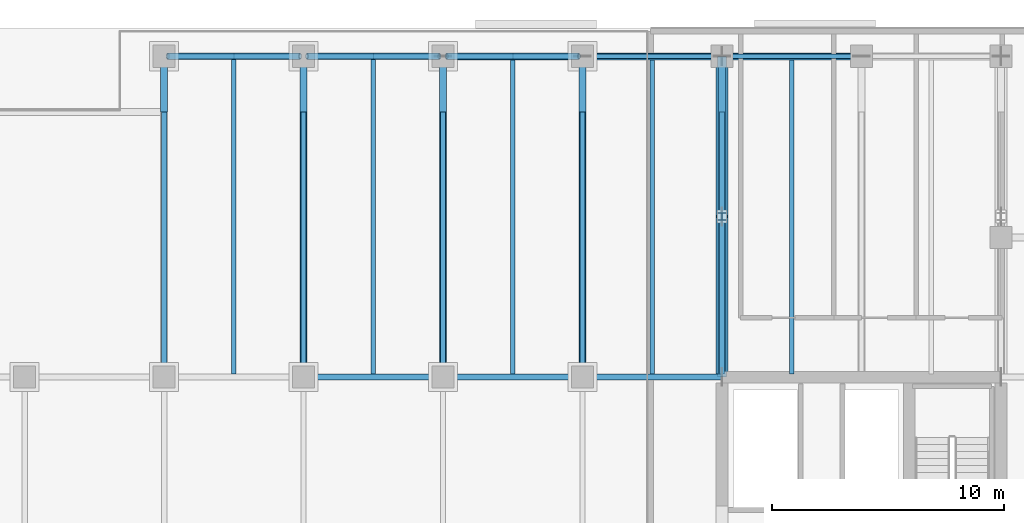
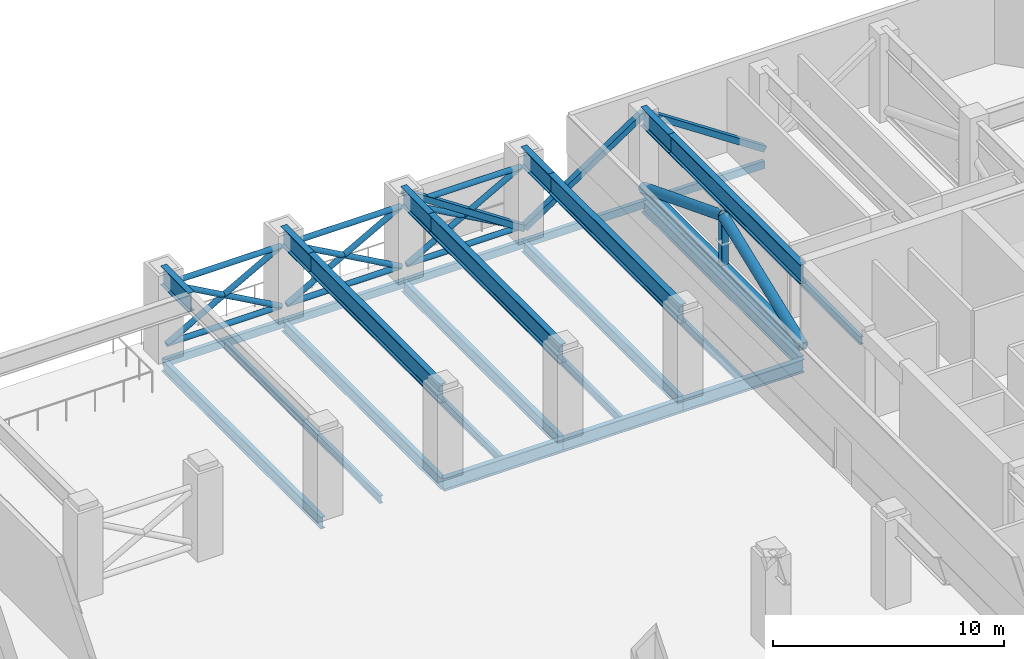
# One storey, part 6 of 21: 27 beams, 19 members.
"""IFC4 building model written with IfcOpenShell, lengths in metres."""

from ifc_helpers import new_model, si_unit, direction, frame, origin, origin_2d, place, context, subcontext, project, spatial, hollow_rectangle, hollow_circle, i_section, extrude, material, material_profile, profile_set, type_object, element, save


model = new_model("IFC4")

# Units and contexts
model_context = context("Model", 3, precision=1e-05, world=origin(), true_north=direction((0.0, 1.0)))
body_context = subcontext(model_context, "Body", "Model", "MODEL_VIEW")
ifc_project = project(units=[si_unit("LENGTHUNIT", "METRE"), si_unit("AREAUNIT", "SQUARE_METRE"), si_unit("VOLUMEUNIT", "CUBIC_METRE"), si_unit("PLANEANGLEUNIT", "RADIAN"), si_unit("MASSUNIT", "GRAM", prefix="KILO")], contexts=[model_context])

# Site, building, storey
site_placement = place(None, origin())
site = spatial("IfcSite", under=ifc_project, at=site_placement, CompositionType="ELEMENT")
building_placement = place(site_placement, origin())
building = spatial("IfcBuilding", under=site, at=building_placement, Name="Tanjung Sevakor Pilgrim Tower", CompositionType="ELEMENT")
storey_placement = place(building_placement, frame((0.0, 0.0, 123.090087890625)))
storey = spatial("IfcBuildingStorey", under=building, at=storey_placement, Name="L34", CompositionType="ELEMENT", Elevation=123.090087890625)

# Beams
ifc_material_1 = material(Name="Steel S355J2", Category="steel")
ifc_material_profile_1 = material_profile(ifc_material_1, i_section(OverallWidth=0.25439453125, OverallDepth=0.6875, WebThickness=0.01318359375, FlangeThickness=0.02099609375, FilletRadius=0.01513671875, at=origin_2d()))
ifc_profile_set_1 = profile_set([ifc_material_profile_1], Name="Steel S355J2")
beam_type_1 = type_object("IfcBeamType", Name="BM-B-G2-UB_686x254x152", PredefinedType="BEAM", material=ifc_profile_set_1)
for number, where, z_axis, x_axis, name in (
    (1, (60.0, 42.60009765625, -0.623779296875), (1.0, 0.0, 0.0), (0.0, 1.0, 0.0), "L34 Primary Floor Girder MAIN Y426-06"),
    (2, (66.0, 42.60009765625, -0.623779296875), (1.0, 0.0, 0.0), (0.0, 1.0, 0.0), "L34 Primary Floor Girder MAIN Y426-07"),
    (3, (72.0, 42.60009765625, -0.623779296875), (1.0, 0.0, 0.0), (0.0, 1.0, 0.0), "L34 Primary Floor Girder MAIN Y426-08"),
):
    element("IfcBeam", number, at=place(storey_placement, frame(where, z_axis=z_axis, x_axis=x_axis)), inside=storey, type_object=beam_type_1, Name=name, PredefinedType="BEAM", context=body_context, shape_type="SweptSolid", body=[
        extrude(i_section(OverallWidth=0.25439453125, OverallDepth=0.6875, WebThickness=0.01318359375, FlangeThickness=0.02099609375, FilletRadius=0.01513671875, at=origin_2d()), origin(), (0.0, 0.0, 1.0), 6.0),
    ])
ifc_material_2 = material(Name="Steel S355J2", Category="steel")
ifc_material_profile_2 = material_profile(ifc_material_2, i_section(OverallWidth=0.230224609375, OverallDepth=0.6171875, WebThickness=0.01318359375, FlangeThickness=0.022216796875, FilletRadius=0.0126953125, at=origin_2d()))
ifc_profile_set_2 = profile_set([ifc_material_profile_2], Name="Steel S355J2")
beam_type_2 = type_object("IfcBeamType", Name="BM-B-G3-UB_610x229x140", PredefinedType="BEAM", material=ifc_profile_set_2)
for number, where, z_axis, x_axis, name in (
    (4, (54.0, 42.60009765625, -0.588623046875), (0.0, 1.0, 0.0), (-1.0, 0.0, 0.0), "L34 MAIN Girder 019"),
    (5, (60.0, 42.60009765625, -0.588623046875), (0.0, 1.0, 0.0), (-1.0, 0.0, 0.0), "L34 MAIN Girder 024"),
    (6, (66.0, 42.60009765625, -0.588623046875), (0.0, 1.0, 0.0), (-1.0, 0.0, 0.0), "L34 MAIN Girder 029"),
    (7, (72.0, 42.60009765625, -0.588623046875), (0.0, 1.0, 0.0), (-1.0, 0.0, 0.0), "L34 MAIN Girder 034"),
):
    element("IfcBeam", number, at=place(storey_placement, frame(where, z_axis=z_axis, x_axis=x_axis)), inside=storey, type_object=beam_type_2, Name=name, PredefinedType="BEAM", context=body_context, shape_type="SweptSolid", body=[
        extrude(i_section(OverallWidth=0.230224609375, OverallDepth=0.6171875, WebThickness=0.01318359375, FlangeThickness=0.022216796875, FilletRadius=0.0126953125, at=origin_2d()), origin(), (0.0, 0.0, 1.0), 13.7998046875),
    ])
beam_1_placement = place(storey_placement, frame((78.0, 42.727294921875, -0.588623046875), z_axis=(0.0, 1.0, 0.0), x_axis=(-1.0, 0.0, 0.0)))
element("IfcBeam", 8, at=beam_1_placement, inside=storey, type_object=beam_type_2, Name="L34 MAIN Girder 038", PredefinedType="BEAM", context=body_context, shape_type="SweptSolid", body=[
    extrude(i_section(OverallWidth=0.230224609375, OverallDepth=0.6171875, WebThickness=0.01318359375, FlangeThickness=0.022216796875, FilletRadius=0.0126953125, at=origin_2d()), origin(), (0.0, 0.0, 1.0), 13.672607421875),
])
ifc_material_3 = material(Name="Steel S460M", Category="steel")
ifc_material_profile_3 = material_profile(ifc_material_3, i_section(OverallWidth=0.302001953125, OverallDepth=1.008056640625, WebThickness=0.02099609375, FlangeThickness=0.0400390625, FilletRadius=0.030029296875, at=origin_2d()))
ifc_profile_set_3 = profile_set([ifc_material_profile_3], Name="Steel S460M")
beam_type_3 = type_object("IfcBeamType", Name="BM-B-G7-HE_1000M", PredefinedType="BEAM", material=ifc_profile_set_3)
beam_2_placement = place(storey_placement, frame((54.0, 54.0, 4.166015625), z_axis=(0.0, 1.0, 0.0), x_axis=(-1.0, 0.0, 0.0)))
element("IfcBeam", 9, at=beam_2_placement, inside=storey, type_object=beam_type_3, Name="L34 Setback Transfer Girder North X54-2", PredefinedType="BEAM", context=body_context, shape_type="SweptSolid", body=[
    extrude(i_section(OverallWidth=0.302001953125, OverallDepth=1.008056640625, WebThickness=0.02099609375, FlangeThickness=0.0400390625, FilletRadius=0.030029296875, at=origin_2d()), origin(), (0.0, 0.0, 1.0), 2.39990234375),
])
beam_3_placement = place(storey_placement, frame((60.0, 42.60009765625, 4.166015625), z_axis=(0.0, 1.0, 0.0), x_axis=(-1.0, 0.0, 0.0)))
element("IfcBeam", 10, at=beam_3_placement, inside=storey, type_object=beam_type_3, Name="L34 Setback Transfer Girder North X60-1", PredefinedType="BEAM", context=body_context, shape_type="SweptSolid", body=[
    extrude(i_section(OverallWidth=0.302001953125, OverallDepth=1.008056640625, WebThickness=0.02099609375, FlangeThickness=0.0400390625, FilletRadius=0.030029296875, at=origin_2d()), origin(), (0.0, 0.0, 1.0), 11.39990234375),
])
beam_4_placement = place(storey_placement, frame((60.0, 54.0, 4.166015625), z_axis=(0.0, 1.0, 0.0), x_axis=(-1.0, 0.0, 0.0)))
element("IfcBeam", 11, at=beam_4_placement, inside=storey, type_object=beam_type_3, Name="L34 Setback Transfer Girder North X60-2", PredefinedType="BEAM", context=body_context, shape_type="SweptSolid", body=[
    extrude(i_section(OverallWidth=0.302001953125, OverallDepth=1.008056640625, WebThickness=0.02099609375, FlangeThickness=0.0400390625, FilletRadius=0.030029296875, at=origin_2d()), origin(), (0.0, 0.0, 1.0), 2.39990234375),
])
beam_5_placement = place(storey_placement, frame((66.0, 42.60009765625, 4.166015625), z_axis=(0.0, 1.0, 0.0), x_axis=(-1.0, 0.0, 0.0)))
element("IfcBeam", 12, at=beam_5_placement, inside=storey, type_object=beam_type_3, Name="L34 Setback Transfer Girder North X66-1", PredefinedType="BEAM", context=body_context, shape_type="SweptSolid", body=[
    extrude(i_section(OverallWidth=0.302001953125, OverallDepth=1.008056640625, WebThickness=0.02099609375, FlangeThickness=0.0400390625, FilletRadius=0.030029296875, at=origin_2d()), origin(), (0.0, 0.0, 1.0), 11.39990234375),
])
beam_6_placement = place(storey_placement, frame((66.0, 54.0, 4.166015625), z_axis=(0.0, 1.0, 0.0), x_axis=(-1.0, 0.0, 0.0)))
element("IfcBeam", 13, at=beam_6_placement, inside=storey, type_object=beam_type_3, Name="L34 Setback Transfer Girder North X66-2", PredefinedType="BEAM", context=body_context, shape_type="SweptSolid", body=[
    extrude(i_section(OverallWidth=0.302001953125, OverallDepth=1.008056640625, WebThickness=0.02099609375, FlangeThickness=0.0400390625, FilletRadius=0.030029296875, at=origin_2d()), origin(), (0.0, 0.0, 1.0), 2.39990234375),
])
beam_7_placement = place(storey_placement, frame((72.0, 42.60009765625, 4.166015625), z_axis=(0.0, 1.0, 0.0), x_axis=(-1.0, 0.0, 0.0)))
element("IfcBeam", 14, at=beam_7_placement, inside=storey, type_object=beam_type_3, Name="L34 Setback Transfer Girder North X72-1", PredefinedType="BEAM", context=body_context, shape_type="SweptSolid", body=[
    extrude(i_section(OverallWidth=0.302001953125, OverallDepth=1.008056640625, WebThickness=0.02099609375, FlangeThickness=0.0400390625, FilletRadius=0.030029296875, at=origin_2d()), origin(), (0.0, 0.0, 1.0), 11.39990234375),
])
beam_8_placement = place(storey_placement, frame((72.0, 54.0, 4.166015625), z_axis=(0.0, 1.0, 0.0), x_axis=(-1.0, 0.0, 0.0)))
element("IfcBeam", 15, at=beam_8_placement, inside=storey, type_object=beam_type_3, Name="L34 Setback Transfer Girder North X72-2", PredefinedType="BEAM", context=body_context, shape_type="SweptSolid", body=[
    extrude(i_section(OverallWidth=0.302001953125, OverallDepth=1.008056640625, WebThickness=0.02099609375, FlangeThickness=0.0400390625, FilletRadius=0.030029296875, at=origin_2d()), origin(), (0.0, 0.0, 1.0), 2.39990234375),
])
beam_9_placement = place(storey_placement, frame((78.0, 42.60009765625, 4.166015625), z_axis=(0.0, 1.0, 0.0), x_axis=(-1.0, 0.0, 0.0)))
element("IfcBeam", 16, at=beam_9_placement, inside=storey, type_object=beam_type_3, Name="L34 Setback Transfer Girder North X78-1", PredefinedType="BEAM", context=body_context, shape_type="SweptSolid", body=[
    extrude(i_section(OverallWidth=0.302001953125, OverallDepth=1.008056640625, WebThickness=0.02099609375, FlangeThickness=0.0400390625, FilletRadius=0.030029296875, at=origin_2d()), origin(), (0.0, 0.0, 1.0), 11.39990234375),
])
beam_10_placement = place(storey_placement, frame((78.0, 54.0, 4.166015625), z_axis=(0.0, 1.0, 0.0), x_axis=(-1.0, 0.0, 0.0)))
element("IfcBeam", 17, at=beam_10_placement, inside=storey, type_object=beam_type_3, Name="L34 Setback Transfer Girder North X78-2", PredefinedType="BEAM", context=body_context, shape_type="SweptSolid", body=[
    extrude(i_section(OverallWidth=0.302001953125, OverallDepth=1.008056640625, WebThickness=0.02099609375, FlangeThickness=0.0400390625, FilletRadius=0.030029296875, at=origin_2d()), origin(), (0.0, 0.0, 1.0), 2.39990234375),
])
ifc_material_4 = material(Name="Steel S355J2", Category="steel")
ifc_material_profile_4 = material_profile(ifc_material_4, i_section(OverallWidth=0.1787109375, OverallDepth=0.409423828125, WebThickness=0.0087890625, FlangeThickness=0.014404296875, FilletRadius=0.01025390625, at=origin_2d()))
ifc_profile_set_4 = profile_set([ifc_material_profile_4], Name="Steel S355J2")
beam_type_4 = type_object("IfcBeamType", Name="BM-B-J3-UB_406x178x67", PredefinedType="JOIST", material=ifc_profile_set_4)
for number, where, z_axis, x_axis, name in (
    (18, (57.0, 42.727294921875, -0.48486328125), (0.0, 1.0, 0.0), (-1.0, 0.0, 0.0), "L34 MAIN Joist 021"),
    (19, (63.0, 42.727294921875, -0.48486328125), (0.0, 1.0, 0.0), (-1.0, 0.0, 0.0), "L34 MAIN Joist 026"),
    (20, (69.0, 42.727294921875, -0.48486328125), (0.0, 1.0, 0.0), (-1.0, 0.0, 0.0), "L34 MAIN Joist 031"),
    (21, (75.0, 42.727294921875, -0.48486328125), (0.0, 1.0, 0.0), (-1.0, 0.0, 0.0), "L34 MAIN Joist 036"),
    (22, (81.0, 42.727294921875, -0.48486328125), (0.0, 1.0, 0.0), (-1.0, 0.0, 0.0), "L34 MAIN Joist 040"),
):
    element("IfcBeam", number, at=place(storey_placement, frame(where, z_axis=z_axis, x_axis=x_axis)), inside=storey, type_object=beam_type_4, Name=name, PredefinedType="JOIST", context=body_context, shape_type="SweptSolid", body=[
        extrude(i_section(OverallWidth=0.1787109375, OverallDepth=0.409423828125, WebThickness=0.0087890625, FlangeThickness=0.014404296875, FilletRadius=0.01025390625, at=origin_2d()), origin(), (0.0, 0.0, 1.0), 13.57275390625),
    ])
ifc_material_5 = material(Name="Steel S355J2", Category="steel")
ifc_material_profile_5 = material_profile(ifc_material_5, hollow_rectangle(XDim=0.199951171875, YDim=0.39990234375, WallThickness=0.01611328125, at=origin_2d()))
ifc_profile_set_5 = profile_set([ifc_material_profile_5], Name="Steel S355J2")
beam_type_5 = type_object("IfcBeamType", Name="BM-B-SP2-RHS_400x200x16", PredefinedType="SPANDREL", material=ifc_profile_set_5)
for number, where, z_axis, x_axis, name in (
    (23, (54.0, 56.39990234375, -0.47998046875), (1.0, 0.0, 0.0), (0.0, 1.0, 0.0), "L34 Spandrel MAIN N-08"),
    (24, (60.0, 56.39990234375, -0.47998046875), (1.0, 0.0, 0.0), (0.0, 1.0, 0.0), "L34 Spandrel MAIN N-10"),
    (25, (66.0, 56.39990234375, -0.47998046875), (1.0, 0.0, 0.0), (0.0, 1.0, 0.0), "L34 Spandrel MAIN N-12"),
    (26, (72.0, 56.39990234375, -0.47998046875), (1.0, 0.0, 0.0), (0.0, 1.0, 0.0), "L34 Spandrel MAIN N-14"),
    (27, (78.0, 56.39990234375, -0.47998046875), (1.0, 0.0, 0.0), (0.0, 1.0, 0.0), "L34 Spandrel MAIN N-16"),
):
    element("IfcBeam", number, at=place(storey_placement, frame(where, z_axis=z_axis, x_axis=x_axis)), inside=storey, type_object=beam_type_5, Name=name, PredefinedType="SPANDREL", context=body_context, shape_type="SweptSolid", body=[
        extrude(hollow_rectangle(XDim=0.199951171875, YDim=0.39990234375, WallThickness=0.01611328125, at=origin_2d()), origin(), (0.0, 0.0, 1.0), 6.0),
    ])

# Members
ifc_material_6 = material(Name="Steel S460M", Category="steel")
ifc_material_profile_6 = material_profile(ifc_material_6, hollow_circle(Radius=0.25390625, WallThickness=0.02490234375, at=origin_2d()))
ifc_profile_set_6 = profile_set([ifc_material_profile_6], Name="Steel S460M")
member_type_1 = type_object("IfcMemberType", Name="MEM-M-BR3-CHS_508x25", PredefinedType="BRACE", material=ifc_profile_set_6)
for number, where, z_axis, x_axis, name in (
    (28, (78.0, 42.60009765625, 0.349853515625), (0.0, 0.93170119451, 0.363225665597), (-1.0, 0.0, 0.0), "OT-2 L34 Outrigger Truss Diagonal 1 X78 N"),
    (29, (78.0, 49.5, 3.039794921875), (0.0, 0.93170119451, -0.363225665597), (-1.0, 0.0, 0.0), "OT-2 L34 Outrigger Truss Diagonal 2 X78 N"),
):
    element("IfcMember", number, at=place(storey_placement, frame(where, z_axis=z_axis, x_axis=x_axis)), inside=storey, type_object=member_type_1, Name=name, PredefinedType="BRACE", context=body_context, shape_type="SweptSolid", body=[
        extrude(hollow_circle(Radius=0.25390625, WallThickness=0.02490234375, at=origin_2d()), origin(), (0.0, 0.0, 1.0), 7.40576171875),
    ])
ifc_material_7 = material(Name="Steel S460M", Category="steel")
ifc_material_profile_7 = material_profile(ifc_material_7, hollow_rectangle(XDim=0.300048828125, YDim=0.300048828125, WallThickness=0.01611328125, at=origin_2d()))
ifc_profile_set_7 = profile_set([ifc_material_profile_7], Name="Steel S460M")
member_type_2 = type_object("IfcMemberType", Name="MEM-M-BR8-SHS_300x300x16", PredefinedType="BRACE", material=ifc_profile_set_7)
for number, where, z_axis, x_axis, name in (
    (30, (66.0, 56.39990234375, 4.3359375), (0.832940851568, 0.0, -0.553362031395), (0.0, 1.0, 0.0), "BT-1 L34 Belt Truss Diagonal Brace N-04"),
    (31, (72.0, 56.39990234375, 0.349853515625), (0.832940851568, 0.0, 0.553362031395), (0.0, 1.0, 0.0), "BT-1 L34 Belt Truss Diagonal Brace N-05"),
    (32, (78.0, 56.39990234375, 4.3359375), (0.832940851568, 0.0, -0.553362031395), (0.0, 1.0, 0.0), "BT-1 L34 Belt Truss Diagonal Brace N-06"),
):
    element("IfcMember", number, at=place(storey_placement, frame(where, z_axis=z_axis, x_axis=x_axis)), inside=storey, type_object=member_type_2, Name=name, PredefinedType="BRACE", context=body_context, shape_type="SweptSolid", body=[
        extrude(hollow_rectangle(XDim=0.300048828125, YDim=0.300048828125, WallThickness=0.01611328125, at=origin_2d()), origin(), (0.0, 0.0, 1.0), 7.203369140625),
    ])
ifc_material_8 = material(Name="Steel S460M", Category="steel")
ifc_material_profile_8 = material_profile(ifc_material_8, i_section(OverallWidth=0.39892578125, OverallDepth=0.3935546875, WebThickness=0.022705078125, FlangeThickness=0.03662109375, FilletRadius=0.01513671875, at=origin_2d()))
ifc_profile_set_8 = profile_set([ifc_material_profile_8], Name="Steel S460M")
member_type_3 = type_object("IfcMemberType", Name="MEM-M-CH3-UC_356x406x287", PredefinedType="CHORD", material=ifc_profile_set_8)
member_1_placement = place(storey_placement, frame((78.0, 42.60009765625, 0.349853515625), z_axis=(0.0, 1.0, 0.0), x_axis=(-1.0, 0.0, 0.0)))
element("IfcMember", 33, at=member_1_placement, inside=storey, type_object=member_type_3, Name="OT-1 L34 Outrigger Truss Chord X78 N", PredefinedType="CHORD", context=body_context, shape_type="SweptSolid", body=[
    extrude(i_section(OverallWidth=0.39892578125, OverallDepth=0.3935546875, WebThickness=0.022705078125, FlangeThickness=0.03662109375, FilletRadius=0.01513671875, at=origin_2d()), origin(), (0.0, 0.0, 1.0), 13.7998046875),
])
ifc_material_9 = material(Name="Steel S460M", Category="steel")
ifc_material_profile_9 = material_profile(ifc_material_9, i_section(OverallWidth=0.30908203125, OverallDepth=0.320556640625, WebThickness=0.013916015625, FlangeThickness=0.021728515625, FilletRadius=0.01513671875, at=origin_2d()))
ifc_profile_set_9 = profile_set([ifc_material_profile_9], Name="Steel S460M")
member_type_4 = type_object("IfcMemberType", Name="MEM-M-ST3-UC_305x305x137", PredefinedType="STRUT", material=ifc_profile_set_9)
member_2_placement = place(storey_placement, frame((78.0, 49.5, 0.349853515625), z_axis=(0.0, 0.0, 1.0), x_axis=(1.0, 0.0, 0.0)))
element("IfcMember", 34, at=member_2_placement, inside=storey, type_object=member_type_4, Name="OT-3 L34 Outrigger Truss Strut X78 N", PredefinedType="STRUT", context=body_context, shape_type="SweptSolid", body=[
    extrude(i_section(OverallWidth=0.30908203125, OverallDepth=0.320556640625, WebThickness=0.013916015625, FlangeThickness=0.021728515625, FilletRadius=0.01513671875, at=origin_2d()), origin(), (0.0, 0.0, 1.0), 2.68994140625),
])
ifc_material_10 = material(Name="Steel S355J2", Category="steel")
ifc_material_profile_10 = material_profile(ifc_material_10, hollow_circle(Radius=0.136474609375, WallThickness=0.012451171875, at=origin_2d()))
ifc_profile_set_10 = profile_set([ifc_material_profile_10], Name="Steel S355J2")
member_type_5 = type_object("IfcMemberType", Name="TYPE-MB-TURBINE", PredefinedType="USERDEFINED", material=ifc_profile_set_10)
for number, where, z_axis, x_axis, name in (
    (35, (54.14990234375, 56.39990234375, 0.449951171875), (1.0, 0.0, 0.0), (0.0, 1.0, 0.0), "L34 Wind Turbine Shroud BOT WTURB-L34-N2"),
    (36, (54.14990234375, 56.39990234375, 3.619873046875), (1.0, 0.0, 0.0), (0.0, 1.0, 0.0), "L34 Wind Turbine Shroud TOP WTURB-L34-N2"),
):
    element("IfcMember", number, at=place(storey_placement, frame(where, z_axis=z_axis, x_axis=x_axis)), inside=storey, type_object=member_type_5, Name=name, ObjectType="TURBINE_FRAME", PredefinedType="USERDEFINED", context=body_context, shape_type="SweptSolid", body=[
        extrude(hollow_circle(Radius=0.136474609375, WallThickness=0.012451171875, at=origin_2d()), origin(), (0.0, 0.0, 1.0), 5.7001953125),
    ])
for number, where, z_axis, x_axis, name in (
    (37, (54.14990234375, 56.39990234375, 0.449951171875), (0.87395238411, 0.0, 0.486011553678), (0.0, 1.0, 0.0), "L34 Wind Turbine Shroud BL1 WTURB-L34-N2"),
    (38, (54.14990234375, 56.39990234375, 3.619873046875), (0.87395238411, 0.0, -0.486011553678), (0.0, 1.0, 0.0), "L34 Wind Turbine Shroud BL2 WTURB-L34-N2"),
):
    element("IfcMember", number, at=place(storey_placement, frame(where, z_axis=z_axis, x_axis=x_axis)), inside=storey, type_object=member_type_5, Name=name, ObjectType="TURBINE_FRAME", PredefinedType="USERDEFINED", context=body_context, shape_type="SweptSolid", body=[
        extrude(hollow_circle(Radius=0.136474609375, WallThickness=0.012451171875, at=origin_2d()), origin(), (0.0, 0.0, 1.0), 6.522216796875),
    ])
for number, where, z_axis, x_axis, name in (
    (39, (60.14990234375, 56.39990234375, 0.449951171875), (1.0, 0.0, 0.0), (0.0, 1.0, 0.0), "L34 Wind Turbine Shroud BOT WTURB-L34-N3"),
    (40, (60.14990234375, 56.39990234375, 3.619873046875), (1.0, 0.0, 0.0), (0.0, 1.0, 0.0), "L34 Wind Turbine Shroud TOP WTURB-L34-N3"),
):
    element("IfcMember", number, at=place(storey_placement, frame(where, z_axis=z_axis, x_axis=x_axis)), inside=storey, type_object=member_type_5, Name=name, ObjectType="TURBINE_FRAME", PredefinedType="USERDEFINED", context=body_context, shape_type="SweptSolid", body=[
        extrude(hollow_circle(Radius=0.136474609375, WallThickness=0.012451171875, at=origin_2d()), origin(), (0.0, 0.0, 1.0), 5.7001953125),
    ])
for number, where, z_axis, x_axis, name in (
    (41, (60.14990234375, 56.39990234375, 0.449951171875), (0.87395238411, 0.0, 0.486011553678), (0.0, 1.0, 0.0), "L34 Wind Turbine Shroud BL1 WTURB-L34-N3"),
    (42, (60.14990234375, 56.39990234375, 3.619873046875), (0.87395238411, 0.0, -0.486011553678), (0.0, 1.0, 0.0), "L34 Wind Turbine Shroud BL2 WTURB-L34-N3"),
):
    element("IfcMember", number, at=place(storey_placement, frame(where, z_axis=z_axis, x_axis=x_axis)), inside=storey, type_object=member_type_5, Name=name, ObjectType="TURBINE_FRAME", PredefinedType="USERDEFINED", context=body_context, shape_type="SweptSolid", body=[
        extrude(hollow_circle(Radius=0.136474609375, WallThickness=0.012451171875, at=origin_2d()), origin(), (0.0, 0.0, 1.0), 6.522216796875),
    ])
for number, where, z_axis, x_axis, name in (
    (43, (66.14990234375, 56.39990234375, 0.449951171875), (1.0, 0.0, 0.0), (0.0, 1.0, 0.0), "L34 Wind Turbine Shroud BOT WTURB-L34-N4"),
    (44, (66.14990234375, 56.39990234375, 3.619873046875), (1.0, 0.0, 0.0), (0.0, 1.0, 0.0), "L34 Wind Turbine Shroud TOP WTURB-L34-N4"),
):
    element("IfcMember", number, at=place(storey_placement, frame(where, z_axis=z_axis, x_axis=x_axis)), inside=storey, type_object=member_type_5, Name=name, ObjectType="TURBINE_FRAME", PredefinedType="USERDEFINED", context=body_context, shape_type="SweptSolid", body=[
        extrude(hollow_circle(Radius=0.136474609375, WallThickness=0.012451171875, at=origin_2d()), origin(), (0.0, 0.0, 1.0), 5.7001953125),
    ])
for number, where, z_axis, x_axis, name in (
    (45, (66.14990234375, 56.39990234375, 0.449951171875), (0.87395238411, 0.0, 0.486011553678), (0.0, 1.0, 0.0), "L34 Wind Turbine Shroud BL1 WTURB-L34-N4"),
    (46, (66.14990234375, 56.39990234375, 3.619873046875), (0.87395238411, 0.0, -0.486011553678), (0.0, 1.0, 0.0), "L34 Wind Turbine Shroud BL2 WTURB-L34-N4"),
):
    element("IfcMember", number, at=place(storey_placement, frame(where, z_axis=z_axis, x_axis=x_axis)), inside=storey, type_object=member_type_5, Name=name, ObjectType="TURBINE_FRAME", PredefinedType="USERDEFINED", context=body_context, shape_type="SweptSolid", body=[
        extrude(hollow_circle(Radius=0.136474609375, WallThickness=0.012451171875, at=origin_2d()), origin(), (0.0, 0.0, 1.0), 6.522216796875),
    ])

save(model, "model.ifc")
